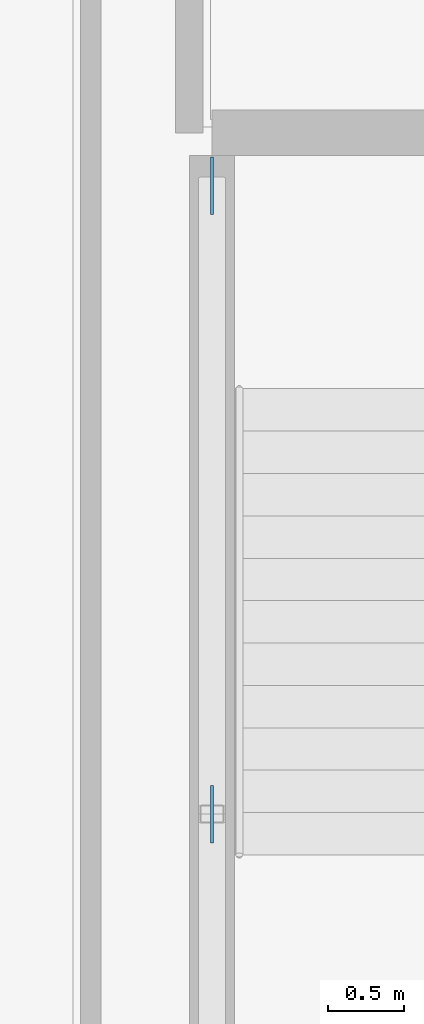
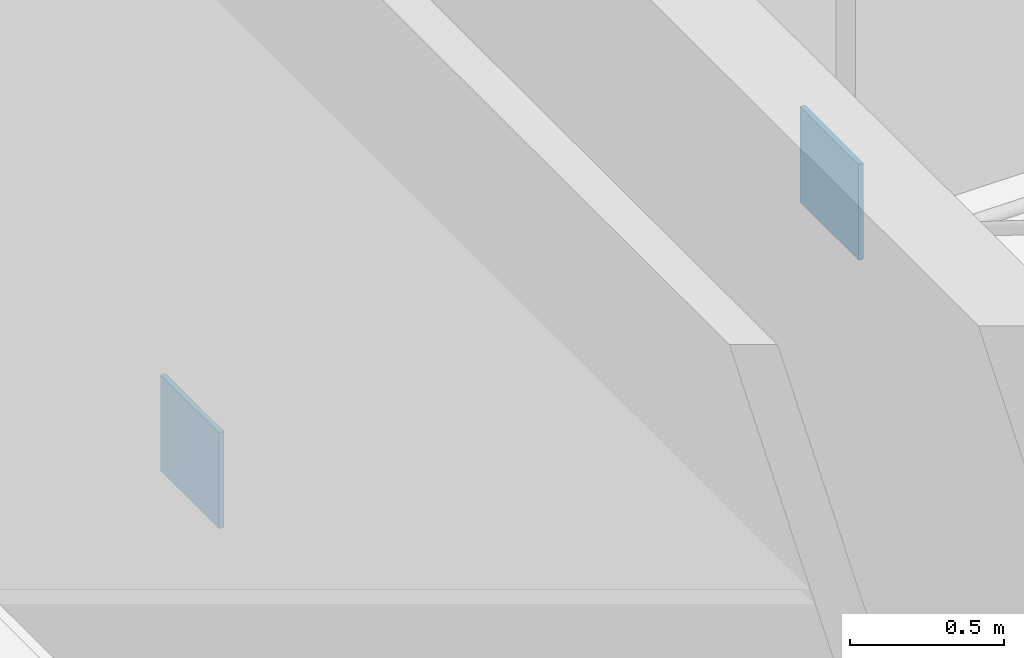
# One storey, part 16 of 21: 2 plates.
"""IFC4 building model written with IfcOpenShell, lengths in metres."""

from ifc_helpers import new_model, si_unit, direction, frame, origin, origin_2d, place, context, subcontext, project, spatial, rectangle, extrude, material, layer, layer_set, type_object, element, save


model = new_model("IFC4")

# Units and contexts
model_context = context("Model", 3, precision=1e-05, world=origin(), true_north=direction((0.0, 1.0)))
body_context = subcontext(model_context, "Body", "Model", "MODEL_VIEW")
ifc_project = project(units=[si_unit("LENGTHUNIT", "METRE"), si_unit("AREAUNIT", "SQUARE_METRE"), si_unit("VOLUMEUNIT", "CUBIC_METRE"), si_unit("PLANEANGLEUNIT", "RADIAN"), si_unit("MASSUNIT", "GRAM", prefix="KILO")], contexts=[model_context])

# Site, building, storey
site_placement = place(None, origin())
site = spatial("IfcSite", under=ifc_project, at=site_placement, CompositionType="ELEMENT")
building_placement = place(site_placement, origin())
building = spatial("IfcBuilding", under=site, at=building_placement, Name="Sitalva Quay Ferry Terminal", CompositionType="ELEMENT")
storey_placement = place(building_placement, frame((0.0, 0.0, 14.39990234375)))
storey = spatial("IfcBuildingStorey", under=building, at=storey_placement, Name="L04", CompositionType="ELEMENT", Elevation=14.39990234375)

# Plates
ifc_material = material(Name="Structural Steel S355JR", Category="steel")
ifc_layer = layer(ifc_material, 0.01806640625)
ifc_layer_set = layer_set([ifc_layer], Name="Structural Steel S355JR")
plate_type = type_object("IfcPlateType", Name="Gusset_380x380x18", PredefinedType="USERDEFINED", material=ifc_layer_set)
for number, where, z_axis, x_axis, name in (
    (1, (112.39990234375, 82.699951171875, 3.5400390625), (0.0, 0.0, 1.0), (1.0, 0.0, 0.0), "Braced frame BF5 L04 APEX gusset"),
    (2, (112.39990234375, 86.85009765625, -0.039794921875), (0.0, 0.0, 1.0), (1.0, 0.0, 0.0), "Braced frame BF5 L04 BASE-B gusset"),
):
    element("IfcPlate", number, at=place(storey_placement, frame(where, z_axis=z_axis, x_axis=x_axis)), inside=storey, type_object=plate_type, Name=name, ObjectType="FLANGE_PLATE", PredefinedType="USERDEFINED", context=body_context, shape_type="SweptSolid", body=[
        extrude(rectangle(XDim=0.01806640625, YDim=0.3798828125, at=origin_2d()), origin(), (0.0, 0.0, 1.0), 0.3798828125),
    ])

save(model, "model.ifc")
